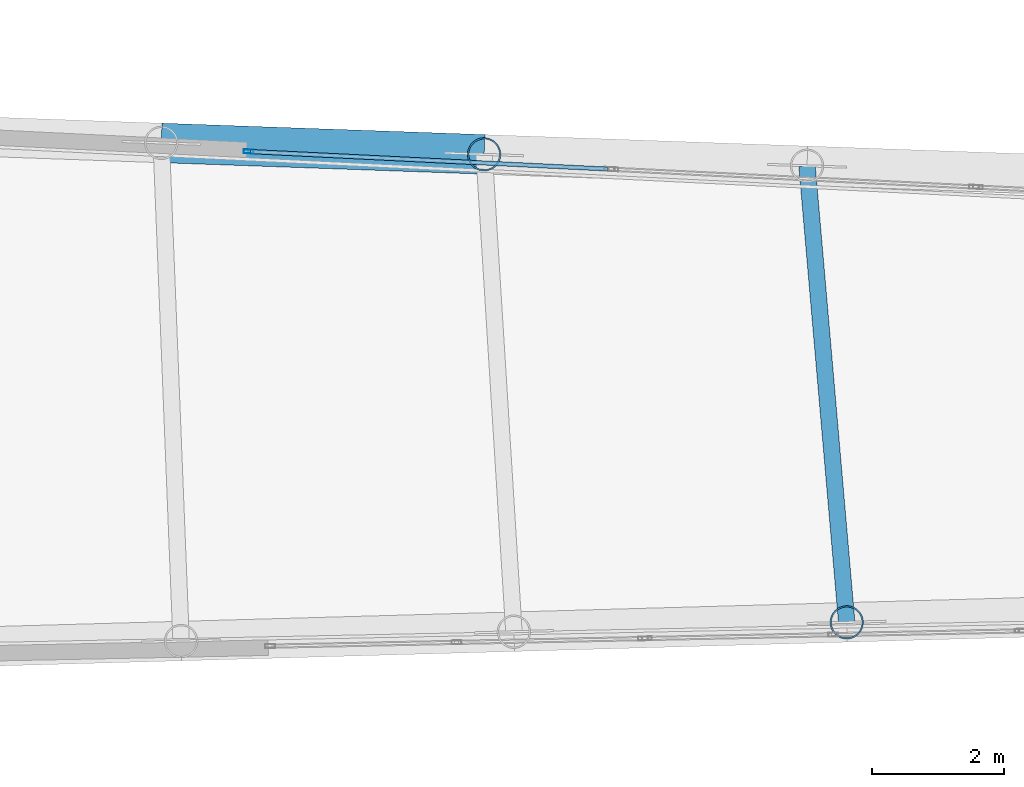
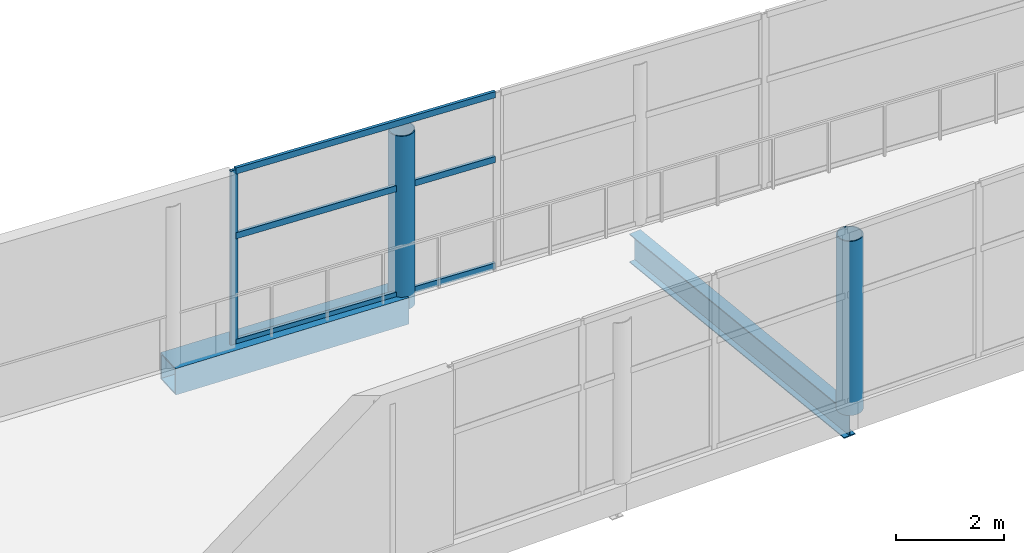
# One storey, part 6 of 23: 7 members, 1 beam, 1 element without a shape of its own.
"""IFC4 building model written with IfcOpenShell, lengths in metres."""

from ifc_helpers import new_model, si_unit, direction, frame, origin, origin_2d, place, context, subcontext, project, spatial, hollow_rectangle, hollow_circle, i_section, extrude, material, layer, layer_set, material_profile, profile_set, type_object, element, aggregate, save


model = new_model("IFC4")

# Units and contexts
model_context = context("Model", 3, precision=1e-05, world=origin(), true_north=direction((0.0, 1.0)))
body_context = subcontext(model_context, "Body", "Model", "MODEL_VIEW")
ifc_project = project(units=[si_unit("LENGTHUNIT", "METRE"), si_unit("AREAUNIT", "SQUARE_METRE"), si_unit("VOLUMEUNIT", "CUBIC_METRE"), si_unit("PLANEANGLEUNIT", "RADIAN"), si_unit("MASSUNIT", "GRAM", prefix="KILO")], contexts=[model_context])

# Site, building, storey
site_placement = place(None, origin())
site = spatial("IfcSite", under=ifc_project, at=site_placement, CompositionType="ELEMENT")
building_placement = place(site_placement, origin())
building = spatial("IfcBuilding", under=site, at=building_placement, Name="Haevon Station Towers", CompositionType="ELEMENT")
storey_placement = place(building_placement, frame((0.0, 0.0, 197.10009765625)))
storey = spatial("IfcBuildingStorey", under=building, at=storey_placement, Name="L54", CompositionType="ELEMENT", Elevation=197.10009765625)

# Beam
ifc_material_1 = material(Name="Steel S355", Category="steel")
ifc_material_profile_1 = material_profile(ifc_material_1, i_section(OverallWidth=0.25, OverallDepth=0.64990234375, WebThickness=0.012939453125, FlangeThickness=0.02197265625, at=origin_2d()), Name="H-650x250x13x22")
ifc_profile_set_1 = profile_set([ifc_material_profile_1], Name="Steel S355")
beam_type = type_object("IfcBeamType", Name="BM-G650", PredefinedType="BEAM", material=ifc_profile_set_1)
beam_placement = place(storey_placement, frame((76.75, 30.567626953125, -0.625), z_axis=(-0.086608433129, 0.996242429989, 0.0), x_axis=(-0.996242429989, -0.086608433129, 0.0)))
element("IfcBeam", 1, at=beam_placement, inside=storey, type_object=beam_type, Name="BM-SKP-L54-4", PredefinedType="BEAM", context=body_context, shape_type="SweptSolid", body=[
    extrude(i_section(OverallWidth=0.25, OverallDepth=0.64990234375, WebThickness=0.012939453125, FlangeThickness=0.02197265625, at=origin_2d()), origin(), (0.0, 0.0, 1.0), 6.962646484375),
])

# Member
ifc_material_2 = material(Name="Steel S460", Category="steel")
ifc_material_profile_2 = material_profile(ifc_material_2, hollow_rectangle(XDim=0.60009765625, YDim=0.60009765625, WallThickness=0.030029296875, at=origin_2d()), Name="RHS-600x600x30")
ifc_profile_set_2 = profile_set([ifc_material_profile_2], Name="Steel S460")
member_type_1 = type_object("IfcMemberType", Name="CHSKP-600", PredefinedType="CHORD", material=ifc_profile_set_2)
member_1_placement = place(storey_placement, frame((66.3359375, 37.85205078125, -0.300048828125), z_axis=(0.999372763005, -0.035412999913, 0.0), x_axis=(0.035412999913, 0.999372763005, 0.0)))
element("IfcMember", 2, at=member_1_placement, inside=storey, type_object=member_type_1, Name="CH-SKP-N-BOT-3", PredefinedType="CHORD", context=body_context, shape_type="SweptSolid", body=[
    extrude(hollow_rectangle(XDim=0.60009765625, YDim=0.60009765625, WallThickness=0.030029296875, at=origin_2d()), origin(), (0.0, 0.0, 1.0), 4.90869140625),
])

# Curtain wall, members
ifc_material_3 = material(Name="Anodised aluminium and Low-E double glazing", Category="aluminium")
ifc_layer = layer(ifc_material_3, 0.179931640625)
ifc_layer_set = layer_set([ifc_layer], Name="Anodised aluminium and Low-E double glazing")
curtain_wall_type = type_object("IfcCurtainWallType", Name="CW-SYS6", PredefinedType="NOTDEFINED", material=ifc_layer_set)
curtain_wall_placement = place(storey_placement, origin())
curtain_wall = element("IfcCurtainWall", 3, at=curtain_wall_placement, inside=storey, type_object=curtain_wall_type, Name="L54 Curtain Wall CW-SKP-L54-N1", PredefinedType="NOTDEFINED")
ifc_material_4 = material(Name="Anodised aluminium 6063-T6", Category="aluminium")
ifc_material_profile_3 = material_profile(ifc_material_4, hollow_rectangle(XDim=0.06005859375, YDim=0.14990234375, WallThickness=0.00341796875, at=origin_2d()), Name="CWM-150x60x3.5")
ifc_profile_set_3 = profile_set([ifc_material_profile_3], Name="Anodised aluminium 6063-T6")
member_type_2 = type_object("IfcMemberType", Name="CWM-150", PredefinedType="MULLION", material=ifc_profile_set_3)
member_2_placement = place(storey_placement, frame((67.66455078125, 37.7216796875, 0.0), z_axis=(0.0, 0.0, 1.0), x_axis=(0.048821987934, 0.998807495714, 0.0)))
member_2 = element("IfcMember", 4, at=member_2_placement, type_object=member_type_2, Name="CW-SYS6 mullion 1", PredefinedType="MULLION", context=body_context, shape_type="SweptSolid", body=[
    extrude(hollow_rectangle(XDim=0.06005859375, YDim=0.14990234375, WallThickness=0.00341796875, at=origin_2d()), origin(), (0.0, 0.0, 1.0), 3.949951171875),
])
ifc_material_profile_4 = material_profile(ifc_material_4, hollow_rectangle(XDim=0.06494140625, YDim=0.139892578125, WallThickness=0.00341796875, at=origin_2d()), Name="CWT-140x65x3.5")
ifc_profile_set_4 = profile_set([ifc_material_profile_4], Name="Anodised aluminium 6063-T6")
member_type_3 = type_object("IfcMemberType", Name="CWT-140", PredefinedType="USERDEFINED", material=ifc_profile_set_4)
member_3_placement = place(storey_placement, frame((67.694580078125, 37.72021484375, 0.032470703125), z_axis=(0.998807807604, -0.048815606813, 0.0), x_axis=(0.048815606813, 0.998807807604, 0.0)))
member_3 = element("IfcMember", 5, at=member_3_placement, type_object=member_type_3, Name="CW-SYS6 transom 1.1", ObjectType="TRANSOM", PredefinedType="USERDEFINED", context=body_context, shape_type="SweptSolid", body=[
    extrude(hollow_rectangle(XDim=0.06494140625, YDim=0.139892578125, WallThickness=0.00341796875, at=origin_2d()), origin(), (0.0, 0.0, 1.0), 5.42626953125),
])
member_4_placement = place(storey_placement, frame((67.694580078125, 37.72021484375, 2.448974609375), z_axis=(0.998807807604, -0.048815606813, 0.0), x_axis=(0.048815606813, 0.998807807604, 0.0)))
member_4 = element("IfcMember", 6, at=member_4_placement, type_object=member_type_3, Name="CW-SYS6 transom 1.2", ObjectType="TRANSOM", PredefinedType="USERDEFINED", context=body_context, shape_type="SweptSolid", body=[
    extrude(hollow_rectangle(XDim=0.06494140625, YDim=0.139892578125, WallThickness=0.00341796875, at=origin_2d()), origin(), (0.0, 0.0, 1.0), 5.42626953125),
])
member_5_placement = place(storey_placement, frame((67.694580078125, 37.72021484375, 3.91748046875), z_axis=(0.998807807604, -0.048815606813, 0.0), x_axis=(0.048815606813, 0.998807807604, 0.0)))
member_5 = element("IfcMember", 7, at=member_5_placement, type_object=member_type_3, Name="CW-SYS6 transom 1.3", ObjectType="TRANSOM", PredefinedType="USERDEFINED", context=body_context, shape_type="SweptSolid", body=[
    extrude(hollow_rectangle(XDim=0.06494140625, YDim=0.139892578125, WallThickness=0.00341796875, at=origin_2d()), origin(), (0.0, 0.0, 1.0), 5.42626953125),
])
aggregate(curtain_wall, [member_2, member_3, member_4, member_5])

# Members
ifc_material_profile_5 = material_profile(ifc_material_2, hollow_circle(Radius=0.25390625, WallThickness=0.02197265625, at=origin_2d()), Name="CHS-508x22")
ifc_profile_set_5 = profile_set([ifc_material_profile_5], Name="Steel S460")
member_type_4 = type_object("IfcMemberType", Name="PSSKP-508", PredefinedType="POST", material=ifc_profile_set_5)
for number, where, z_axis, x_axis, name in (
    (8, (76.75, 30.567626953125, -0.300048828125), (0.0, 0.0, 1.0), (1.0, 0.0, 0.0), "PS-SKP-S-L54-5"),
    (9, (71.241455078125, 37.67822265625, -0.300048828125), (0.0, 0.0, 1.0), (1.0, 0.0, 0.0), "PS-SKP-N-L54-4"),
):
    element("IfcMember", number, at=place(storey_placement, frame(where, z_axis=z_axis, x_axis=x_axis)), inside=storey, type_object=member_type_4, Name=name, PredefinedType="POST", context=body_context, shape_type="SweptSolid", body=[
        extrude(hollow_circle(Radius=0.25390625, WallThickness=0.02197265625, at=origin_2d()), origin(), (0.0, 0.0, 1.0), 3.949951171875),
    ])

save(model, "model.ifc")
